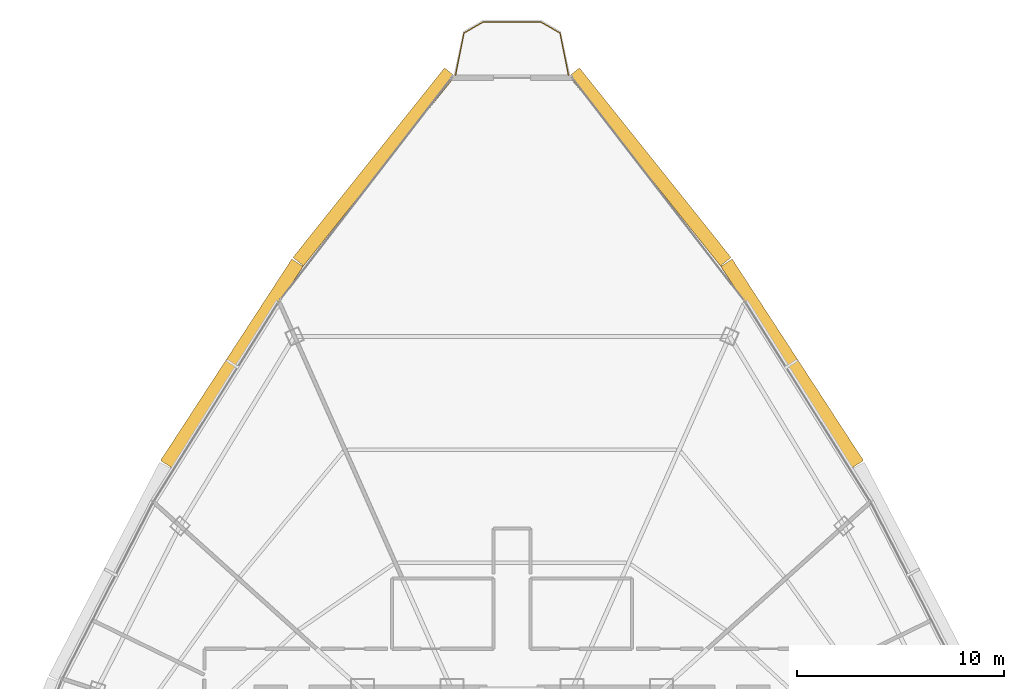
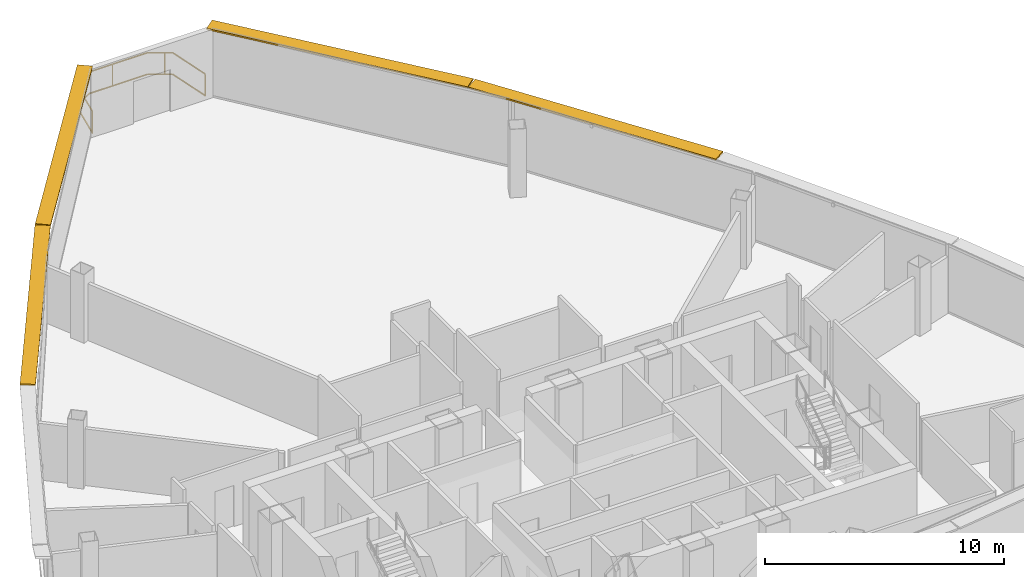
# One storey, part 29 of 29: 4 shading devices, 1 railing.
"""IFC4 building model written with IfcOpenShell, lengths in metres."""

from ifc_helpers import new_model, si_unit, direction, frame, origin, origin_2d, place, context, subcontext, project, spatial, rectangle, extrude, source, transform, mapped, material, layer, layer_set, type_object, element, save


model = new_model("IFC4")

# Units and contexts
model_context = context("Model", 3, precision=1e-05, world=origin(), true_north=direction((0.0, 1.0)))
body_context = subcontext(model_context, "Body", "Model", "MODEL_VIEW")
ifc_project = project(units=[si_unit("LENGTHUNIT", "METRE"), si_unit("AREAUNIT", "SQUARE_METRE"), si_unit("VOLUMEUNIT", "CUBIC_METRE"), si_unit("PLANEANGLEUNIT", "RADIAN"), si_unit("MASSUNIT", "GRAM", prefix="KILO"), si_unit("THERMODYNAMICTEMPERATUREUNIT", "KELVIN"), si_unit("POWERUNIT", "WATT")], contexts=[model_context])

# Site, building, storey
site_placement = place(None, origin())
site = spatial("IfcSite", under=ifc_project, at=site_placement, CompositionType="ELEMENT")
building_placement = place(site_placement, origin())
building = spatial("IfcBuilding", under=site, at=building_placement, Name="Yunzhuo Pagoda Commons", CompositionType="ELEMENT")
storey_placement = place(building_placement, frame((0.0, 0.0, 359.260009765625)))
storey = spatial("IfcBuildingStorey", under=building, at=storey_placement, Name="L90", CompositionType="ELEMENT", Elevation=359.260009765625)

# Railing
ifc_material = material(Name="Anodized aluminium 6063-T6", Category="aluminium")
railing_type = type_object("IfcRailingType", Name="RL-BAL1 Exterior Terrace & Balcony Balustrade 1150", PredefinedType="BALUSTRADE", material=ifc_material)
railing_placement = place(storey_placement, frame((50.721923828125, 69.906494140625, 0.0)))
element("IfcRailing", 1, at=railing_placement, inside=storey, type_object=railing_type, Name="L90 corner balcony balustrade V3", PredefinedType="BALUSTRADE", context=body_context, shape_type="SweptSolid", body=[
    extrude(rectangle(XDim=0.048095703125, YDim=0.048095703125, at=origin_2d()), frame((0.0, 0.0, 1.1259765625), z_axis=(-0.194200568098, 0.980961843983, 0.0), x_axis=(-0.980961843983, -0.194200568098, 0.0)), (0.0, 0.0, 1.0), 2.059326171875),
    extrude(rectangle(XDim=0.048095703125, YDim=0.048095703125, at=origin_2d()), frame((0.0, 0.0, 0.02392578125), z_axis=(-0.194200568098, 0.980961843983, 0.0), x_axis=(-0.980961843983, -0.194200568098, 0.0)), (0.0, 0.0, 1.0), 2.059326171875),
    extrude(rectangle(XDim=0.048095703125, YDim=0.048095703125, at=origin_2d()), frame((-0.39990234375, 2.02001953125, 1.1259765625), z_axis=(-0.866854175161, 0.498561770501, 0.0), x_axis=(-0.498561770501, -0.866854175161, 0.0)), (0.0, 0.0, 1.0), 1.062744140625),
    extrude(rectangle(XDim=0.048095703125, YDim=0.048095703125, at=origin_2d()), frame((-0.39990234375, 2.02001953125, 0.02392578125), z_axis=(-0.866854175161, 0.498561770501, 0.0), x_axis=(-0.498561770501, -0.866854175161, 0.0)), (0.0, 0.0, 1.0), 1.062744140625),
    extrude(rectangle(XDim=0.048095703125, YDim=0.048095703125, at=origin_2d()), frame((-1.321044921875, 2.5498046875, 1.1259765625), z_axis=(-1.0, 0.0, 0.0), x_axis=(0.0, -1.0, 0.0)), (0.0, 0.0, 1.0), 2.8017578125),
    extrude(rectangle(XDim=0.048095703125, YDim=0.048095703125, at=origin_2d()), frame((-1.321044921875, 2.5498046875, 0.02392578125), z_axis=(-1.0, 0.0, 0.0), x_axis=(0.0, -1.0, 0.0)), (0.0, 0.0, 1.0), 2.8017578125),
    extrude(rectangle(XDim=0.048095703125, YDim=0.048095703125, at=origin_2d()), frame((-4.122802734375, 2.5498046875, 1.1259765625), z_axis=(-0.866854175161, -0.498561770501, 0.0), x_axis=(0.498561770501, -0.866854175161, 0.0)), (0.0, 0.0, 1.0), 1.062744140625),
    extrude(rectangle(XDim=0.048095703125, YDim=0.048095703125, at=origin_2d()), frame((-4.122802734375, 2.5498046875, 0.02392578125), z_axis=(-0.866854175161, -0.498561770501, 0.0), x_axis=(0.498561770501, -0.866854175161, 0.0)), (0.0, 0.0, 1.0), 1.062744140625),
    extrude(rectangle(XDim=0.048095703125, YDim=0.048095703125, at=origin_2d()), frame((-5.0439453125, 2.02001953125, 1.1259765625), z_axis=(-0.194200568098, -0.980961843983, 0.0), x_axis=(0.980961843983, -0.194200568098, 0.0)), (0.0, 0.0, 1.0), 2.059326171875),
    extrude(rectangle(XDim=0.048095703125, YDim=0.048095703125, at=origin_2d()), frame((-5.0439453125, 2.02001953125, 0.02392578125), z_axis=(-0.194200568098, -0.980961843983, 0.0), x_axis=(0.980961843983, -0.194200568098, 0.0)), (0.0, 0.0, 1.0), 2.059326171875),
    extrude(rectangle(XDim=0.0419921875, YDim=0.0419921875, at=origin_2d()), origin(), (0.0, 0.0, 1.0), 1.101806640625),
    extrude(rectangle(XDim=0.0419921875, YDim=0.0419921875, at=origin_2d()), frame((-0.6953125, 2.18994140625, 0.0)), (0.0, 0.0, 1.0), 1.101806640625),
    extrude(rectangle(XDim=0.0419921875, YDim=0.0419921875, at=origin_2d()), frame((-2.999267578125, 2.5498046875, 0.0)), (0.0, 0.0, 1.0), 1.101806640625),
    extrude(rectangle(XDim=0.0419921875, YDim=0.0419921875, at=origin_2d()), frame((-5.08544921875, 1.810302734375, 0.0)), (0.0, 0.0, 1.0), 1.101806640625),
    extrude(rectangle(XDim=0.0419921875, YDim=0.0419921875, at=origin_2d()), frame((-5.44384765625, 0.0, 0.0)), (0.0, 0.0, 1.0), 1.101806640625),
])

# Shading devices
ifc_layer = layer(ifc_material, 0.080078125)
ifc_layer_set = layer_set([ifc_layer], Name="Anodized aluminium 6063-T6")
shading_device_type = type_object("IfcShadingDeviceType", Name="SH-SUN1 Pagoda Horizontal Sunshade Eave 650", PredefinedType="USERDEFINED", material=ifc_layer_set)
shared_shape_1 = source(origin(), body_context, "Body", "SweptSolid", [
    extrude(rectangle(XDim=11.718994140625, YDim=0.64990234375, at=origin_2d()), origin(), (0.0, 0.0, 1.0), 0.080078125),
])
for number, where, z_axis, x_axis, name in (
    (2, (54.661376953125, 65.46435546875, 3.409912109375), (0.0, 0.0, 1.0), (-0.624520471688, 0.781008438138, 0.0), "L90 horizontal pagoda sunshade eave F2.4"),
    (3, (41.338623046875, 65.46435546875, 3.409912109375), (0.0, 0.0, 1.0), (-0.624520471688, -0.781008438138, 0.0), "L90 horizontal pagoda sunshade eave F3.1"),
):
    element("IfcShadingDevice", number, at=place(storey_placement, frame(where, z_axis=z_axis, x_axis=x_axis)), inside=storey, type_object=shading_device_type, Name=name, ObjectType="SUNSHADE", PredefinedType="USERDEFINED", context=body_context, shape_type="MappedRepresentation", body=[
        mapped(shared_shape_1, transform((0.0, 0.0, 0.0), scale=1.0)),
    ])
shared_shape_2 = source(origin(), body_context, "Body", "SweptSolid", [
    extrude(rectangle(XDim=11.607666015625, YDim=0.64990234375, at=origin_2d()), origin(), (0.0, 0.0, 1.0), 0.080078125),
])
for number, where, z_axis, x_axis, name in (
    (4, (61.525634765625, 55.973876953125, 3.409912109375), (0.0, 0.0, 1.0), (-0.545838756973, 0.837890238269, 0.0), "L90 horizontal pagoda sunshade eave F2.3"),
    (5, (34.474365234375, 55.973876953125, 3.409912109375), (0.0, 0.0, 1.0), (-0.545838756973, -0.837890238269, 0.0), "L90 horizontal pagoda sunshade eave F3.2"),
):
    element("IfcShadingDevice", number, at=place(storey_placement, frame(where, z_axis=z_axis, x_axis=x_axis)), inside=storey, type_object=shading_device_type, Name=name, ObjectType="SUNSHADE", PredefinedType="USERDEFINED", context=body_context, shape_type="MappedRepresentation", body=[
        mapped(shared_shape_2, transform((0.0, 0.0, 0.0), scale=1.0)),
    ])

save(model, "model.ifc")
